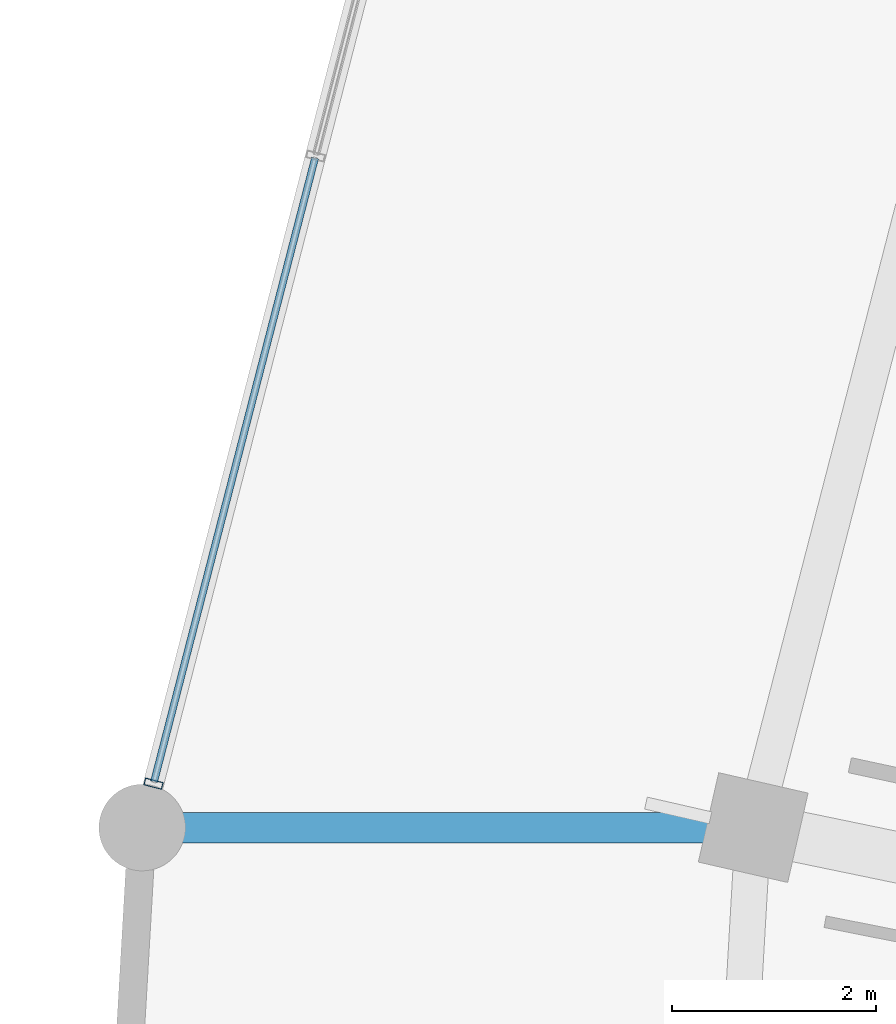
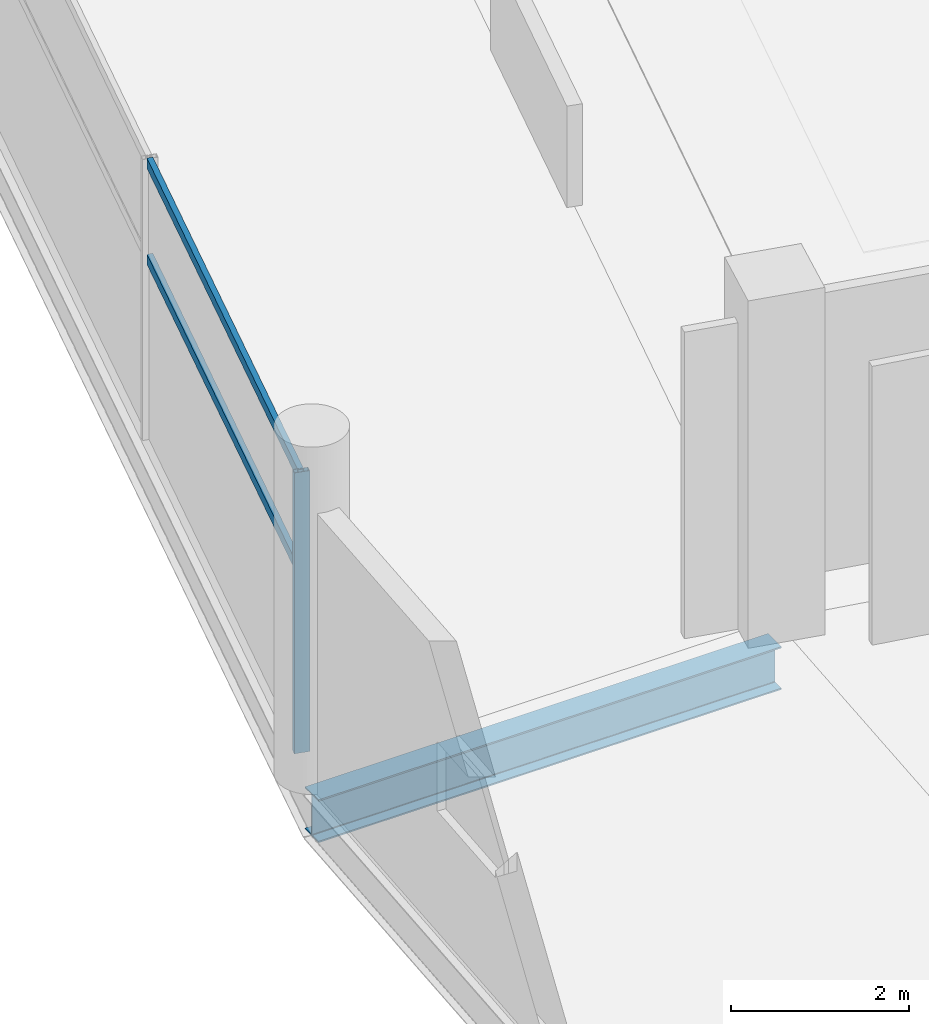
# One storey, part 31 of 156: 3 members, 1 beam, 1 element without a shape of its own.
"""IFC4 building model written with IfcOpenShell, lengths in metres."""

from ifc_helpers import new_model, si_unit, direction, frame, origin, origin_2d, place, context, subcontext, project, spatial, hollow_rectangle, i_section, extrude, material, layer, layer_set, material_profile, profile_set, type_object, element, aggregate, save


model = new_model("IFC4")

# Units and contexts
model_context = context("Model", 3, precision=1e-05, world=origin(), true_north=direction((0.0, 1.0)))
body_context = subcontext(model_context, "Body", "Model", "MODEL_VIEW")
ifc_project = project(units=[si_unit("LENGTHUNIT", "METRE"), si_unit("AREAUNIT", "SQUARE_METRE"), si_unit("VOLUMEUNIT", "CUBIC_METRE"), si_unit("PLANEANGLEUNIT", "RADIAN"), si_unit("MASSUNIT", "GRAM", prefix="KILO")], contexts=[model_context])

# Site, building, storey
site_placement = place(None, origin())
site = spatial("IfcSite", under=ifc_project, at=site_placement, CompositionType="ELEMENT")
building_placement = place(site_placement, origin())
building = spatial("IfcBuilding", under=site, at=building_placement, Name="Kazemori Nagisa Stadium", CompositionType="ELEMENT")
storey_placement = place(building_placement, frame((0.0, 0.0, 5.780029296875)))
storey = spatial("IfcBuildingStorey", under=building, at=storey_placement, Name="L01", CompositionType="ELEMENT", Elevation=5.780029296875)

# Beam
ifc_material_1 = material(Name="Steel SN490B", Category="steel")
ifc_material_profile_1 = material_profile(ifc_material_1, i_section(OverallWidth=0.300048828125, OverallDepth=0.587890625, WebThickness=0.011962890625, FlangeThickness=0.02001953125, FilletRadius=0.012939453125, at=origin_2d()), Name="H-588x300x12x20")
ifc_profile_set_1 = profile_set([ifc_material_profile_1], Name="Steel SN490B")
beam_type = type_object("IfcBeamType", Name="Beam_BG-H588", PredefinedType="BEAM", material=ifc_profile_set_1)
beam_placement = place(storey_placement, frame((29.119140625, 121.397705078125, -0.573974609375), z_axis=(-1.0, 0.0, 0.0), x_axis=(0.0, -1.0, 0.0)))
element("IfcBeam", 1, at=beam_placement, inside=storey, type_object=beam_type, Name="Boulevard radial girder BG-H588 L01 R4-14", PredefinedType="BEAM", context=body_context, shape_type="SweptSolid", body=[
    extrude(i_section(OverallWidth=0.300048828125, OverallDepth=0.587890625, WebThickness=0.011962890625, FlangeThickness=0.02001953125, FilletRadius=0.012939453125, at=origin_2d()), origin(), (0.0, 0.0, 1.0), 6.0),
])

# Curtain wall, members
ifc_material_2 = material(Name="Anodised aluminium 6063-T5", Category="aluminium")
ifc_layer = layer(ifc_material_2, 0.179931640625, Name="Anodised aluminium 6063-T5", Category="aluminium")
ifc_layer_set = layer_set([ifc_layer], Name="Anodised aluminium 6063-T5")
curtain_wall_type = type_object("IfcCurtainWallType", Name="CW_L01R3_96", PredefinedType="USERDEFINED", material=ifc_layer_set)
curtain_wall_placement = place(storey_placement, origin())
curtain_wall = element("IfcCurtainWall", 2, at=curtain_wall_placement, inside=storey, type_object=curtain_wall_type, Name="Unitised curtain wall CW-L01R3-96 L01", ObjectType="UNITISED CURTAIN WALL", PredefinedType="USERDEFINED")
ifc_material_3 = material(Name="Aluminium 6063-T5 anodised", Category="aluminium")
ifc_material_profile_2 = material_profile(ifc_material_3, hollow_rectangle(XDim=0.070068359375, YDim=0.179931640625, WallThickness=0.00390625, at=origin_2d()), Name="ALU-MULL-70x180x4")
ifc_profile_set_2 = profile_set([ifc_material_profile_2], Name="Aluminium 6063-T5 anodised")
member_type_1 = type_object("IfcMemberType", Name="Mullion_M01", PredefinedType="MULLION", material=ifc_profile_set_2)
member_1_placement = place(storey_placement, frame((23.23046875, 121.82861328125, 0.0), z_axis=(0.0, 0.0, 1.0), x_axis=(-0.249964642418, -0.968254965152, 0.0)))
member_1 = element("IfcMember", 3, at=member_1_placement, type_object=member_type_1, Name="Curtain wall mullion CW-L01R3-96-M4", PredefinedType="MULLION", context=body_context, shape_type="SweptSolid", body=[
    extrude(hollow_rectangle(XDim=0.070068359375, YDim=0.179931640625, WallThickness=0.00390625, at=origin_2d()), origin(), (0.0, 0.0, 1.0), 3.849853515625),
])
ifc_material_profile_3 = material_profile(ifc_material_3, hollow_rectangle(XDim=0.070068359375, YDim=0.139892578125, WallThickness=0.00390625, at=origin_2d()), Name="ALU-TRAN-70x140x4")
ifc_profile_set_3 = profile_set([ifc_material_profile_3], Name="Aluminium 6063-T5 anodised")
member_type_2 = type_object("IfcMemberType", Name="Transom_T01", PredefinedType="USERDEFINED", material=ifc_profile_set_3)
member_2_placement = place(storey_placement, frame((24.816650390625, 127.97265625, 2.4638671875), z_axis=(-0.249984240369, -0.968249905534, 0.0), x_axis=(0.968249905534, -0.249984240369, 0.0)))
member_2 = element("IfcMember", 4, at=member_2_placement, type_object=member_type_2, Name="Curtain wall transom CW-L01R3-96-T3-mid", ObjectType="TRANSOM", PredefinedType="USERDEFINED", context=body_context, shape_type="SweptSolid", body=[
    extrude(hollow_rectangle(XDim=0.070068359375, YDim=0.139892578125, WallThickness=0.00390625, at=origin_2d()), origin(), (0.0, 0.0, 1.0), 6.32568359375),
])
member_3_placement = place(storey_placement, frame((24.816650390625, 127.97265625, 3.780029296875), z_axis=(-0.249984240369, -0.968249905534, 0.0), x_axis=(0.968249905534, -0.249984240369, 0.0)))
member_3 = element("IfcMember", 5, at=member_3_placement, type_object=member_type_2, Name="Curtain wall transom CW-L01R3-96-T3-head", ObjectType="TRANSOM", PredefinedType="USERDEFINED", context=body_context, shape_type="SweptSolid", body=[
    extrude(hollow_rectangle(XDim=0.070068359375, YDim=0.139892578125, WallThickness=0.00390625, at=origin_2d()), origin(), (0.0, 0.0, 1.0), 6.32568359375),
])
aggregate(curtain_wall, [member_1, member_2, member_3])

save(model, "model.ifc")
